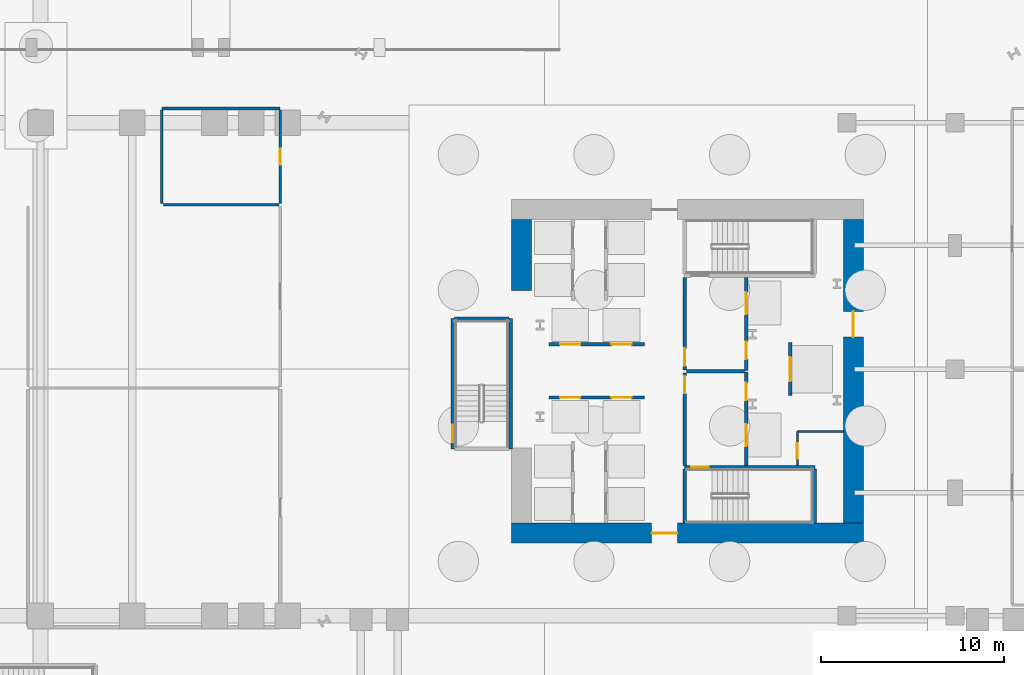
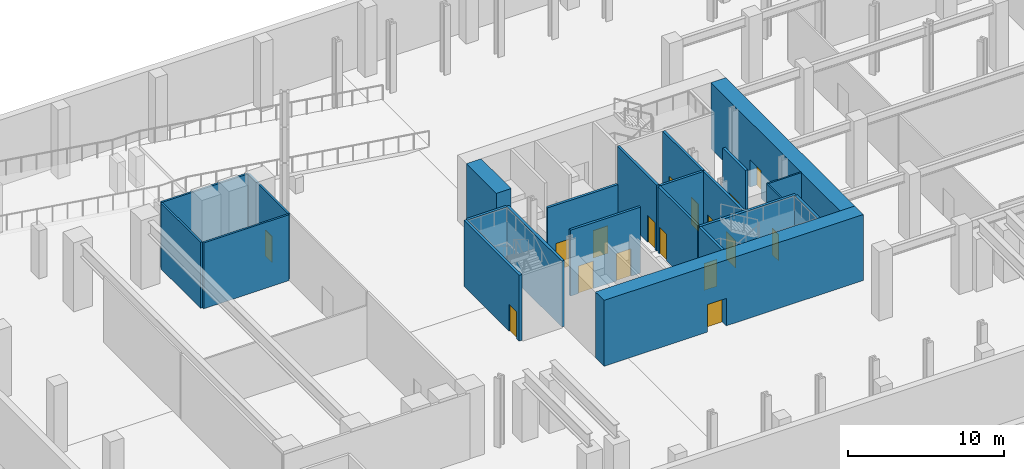
# One storey, part 6 of 16: 23 walls, 17 doors, 17 openings.
"""IFC4 building model written with IfcOpenShell, lengths in metres."""

import ifcopenshell
import ifcopenshell.guid

model = None  # the IFC model being written
_history = None  # IfcOwnerHistory: only IFC2X3 demands one
_inside = {}  # id of a spatial element -> (the spatial element, [elements in it])
_under = {}  # id of a project, library or spatial element -> (it, [spatial elements below it])
_declared = {}  # id of a project -> (the project, [libraries it declares])
_typed = {}  # id of a type object -> (the type object, [elements of that type])
_made_of = {}  # id of a material, layer set ... -> (it, [elements and type objects made of it])


def new_model(schema):
    """Start an empty IFC model of exactly this schema.

    Asked for "IFC4X3", IfcOpenShell would pick the latest addendum, in which some entities
    have other attributes; the version numbers below select the first issue.
    IFC2X3 requires an IfcOwnerHistory on every rooted entity: one is made here for all.
    """
    global model, _history
    if schema == "IFC4X3":
        model = ifcopenshell.file(schema_version=(4, 3, 0, 0))
    else:
        model = ifcopenshell.file(schema=schema)
    _inside.clear()
    _under.clear()
    _declared.clear()
    _typed.clear()
    _made_of.clear()
    _history = None
    if model.schema == "IFC2X3":
        org = make("IfcOrganization", Name="unknown")
        user = make(
            "IfcPersonAndOrganization",
            ThePerson=make("IfcPerson", FamilyName="unknown"),
            TheOrganization=org,
        )
        app = make(
            "IfcApplication",
            ApplicationDeveloper=org,
            Version="unknown",
            ApplicationFullName="unknown",
            ApplicationIdentifier="unknown",
        )
        _history = make(
            "IfcOwnerHistory",
            OwningUser=user,
            OwningApplication=app,
            ChangeAction="ADDED",
            CreationDate=0,
        )
    return model


def make(cls, **values):
    """One entity of the class cls with the attributes given. An attribute that is None is left unset."""
    return model.create_entity(
        cls, **{name: value for name, value in values.items() if value is not None}
    )


def rooted(cls, **values):
    """An entity with a GlobalId (a new one), such as an element, a storey or a relation."""
    return make(cls, GlobalId=ifcopenshell.guid.new(), OwnerHistory=_history, **values)


def si_unit(unit_type, name, prefix=None):
    """IfcSIUnit, for example si_unit("LENGTHUNIT", "METRE", prefix="MILLI")."""
    return make("IfcSIUnit", UnitType=unit_type, Prefix=prefix, Name=name)


def assignment(units):
    """IfcUnitAssignment: the units of a project."""
    return None if units is None else make("IfcUnitAssignment", Units=units)


def point(xyz):
    """IfcCartesianPoint."""
    return None if xyz is None else make("IfcCartesianPoint", Coordinates=xyz)


def direction(xyz):
    """IfcDirection."""
    return None if xyz is None else make("IfcDirection", DirectionRatios=xyz)


def frame(location, z_axis=None, x_axis=None):
    """IfcAxis2Placement3D, a coordinate frame: its origin and axes. An axis left out is left unset."""
    return make(
        "IfcAxis2Placement3D",
        Location=point(location),
        Axis=direction(z_axis),
        RefDirection=direction(x_axis),
    )


def frame_2d(location, x_axis=None):
    """IfcAxis2Placement2D, a coordinate frame in the plane: its origin and x axis."""
    return make(
        "IfcAxis2Placement2D", Location=point(location), RefDirection=direction(x_axis)
    )


def origin():
    """The frame at (0, 0, 0) with its axes left unset."""
    return frame((0.0, 0.0, 0.0))


def place(relative_to, where):
    """IfcLocalPlacement: puts the frame where relative to a parent placement (None: the world)."""
    return make(
        "IfcLocalPlacement", PlacementRelTo=relative_to, RelativePlacement=where
    )


def context(
    kind, dimensions, precision=None, world=None, true_north=None, identifier=None
):
    """IfcGeometricRepresentationContext, for example the 3D "Model" context."""
    return make(
        "IfcGeometricRepresentationContext",
        ContextIdentifier=identifier,
        ContextType=kind,
        CoordinateSpaceDimension=dimensions,
        Precision=precision,
        WorldCoordinateSystem=world,
        TrueNorth=true_north,
    )


def subcontext(parent, identifier, kind, view, scale=None):
    """IfcGeometricRepresentationSubContext, for example "Body" below "Model"."""
    return make(
        "IfcGeometricRepresentationSubContext",
        ContextIdentifier=identifier,
        ContextType=kind,
        ParentContext=parent,
        TargetScale=scale,
        TargetView=view,
    )


def project(units=None, contexts=None):
    """IfcProject with its units and contexts."""
    return rooted(
        "IfcProject",
        Name="project",
        RepresentationContexts=contexts,
        UnitsInContext=assignment(units),
    )


def spatial(cls, under=None, at=None, **own):
    """A site, building, storey or space (cls), placed at a placement, below another one or the project."""
    s = rooted(cls, ObjectPlacement=at, **own)
    if under is not None:
        _under.setdefault(under.id(), (under, []))[1].append(s)
    return s


def profile(cls, at=None, kind="AREA", **sizes):
    """A parametric profile (cls). Its sizes go by their IFC names, for example OverallWidth=200.0."""
    return make(cls, ProfileType=kind, Position=at, **sizes)


def rectangle(**sizes):
    """IfcRectangleProfileDef."""
    return profile("IfcRectangleProfileDef", **sizes)


def extrude(swept, where, along, depth):
    """IfcExtrudedAreaSolid: the profile swept, set in the frame where, extruded along a direction by depth."""
    return make(
        "IfcExtrudedAreaSolid",
        SweptArea=swept,
        Position=where,
        ExtrudedDirection=direction(along),
        Depth=depth,
    )


def shape(context_of_items, identifier, shape_type, items):
    """IfcShapeRepresentation: the items that make up one representation, for example the "Body"."""
    return make(
        "IfcShapeRepresentation",
        ContextOfItems=context_of_items,
        RepresentationIdentifier=identifier,
        RepresentationType=shape_type,
        Items=items,
    )


def material(Name=None, Category=None):
    """IfcMaterial."""
    return make("IfcMaterial", Name=Name, Category=Category)


def layer(
    of_material, thickness, ventilated=None, Name=None, Category=None, Priority=None
):
    """IfcMaterialLayer: one layer of a wall or slab, of a material (None: an air gap)."""
    return make(
        "IfcMaterialLayer",
        Material=of_material,
        LayerThickness=thickness,
        IsVentilated=ventilated,
        Name=Name,
        Category=Category,
        Priority=Priority,
    )


def layer_set(layers, Name=None):
    """IfcMaterialLayerSet."""
    return make("IfcMaterialLayerSet", MaterialLayers=layers, LayerSetName=Name)


def made_of(thing, what):
    """Note that an element or type object is made of a material, layer set ...; save() writes the relation."""
    if what is not None:
        _made_of.setdefault(what.id(), (what, []))[1].append(thing)
    return thing


def type_object(cls, material=None, **own):
    """A type object (cls), such as IfcWallType, which elements share."""
    return made_of(rooted(cls, **own), material)


def element(
    cls,
    number,
    at=None,
    inside=None,
    cuts=None,
    type_object=None,
    material=None,
    context=None,
    identifier="Body",
    shape_type=None,
    held_by="IfcProductDefinitionShape",
    body=None,
    shapes=None,
    **own,
):
    """One element of the class cls, such as IfcWall. Its Tag is "e" and its number.

    at: its placement. inside: the storey or other place that contains it. cuts: it is an
    opening in that element (IfcRelVoidsElement). A single representation is given by context,
    identifier, shape_type and body (its items); several are given by shapes. held_by: the class
    of the entity that holds the representations. save() writes the other relations.
    """
    e = rooted(cls, Tag="e%d" % number, ObjectPlacement=at, **own)
    if body is not None:
        shapes = [shape(context, identifier, shape_type, body)]
    if shapes is not None:
        e.Representation = make(held_by, Representations=shapes)
    if inside is not None:
        _inside.setdefault(inside.id(), (inside, []))[1].append(e)
    if cuts is not None:
        rooted(
            "IfcRelVoidsElement", RelatingBuildingElement=cuts, RelatedOpeningElement=e
        )
    if type_object is not None:
        _typed.setdefault(type_object.id(), (type_object, []))[1].append(e)
    return made_of(e, material)


def fill(opening, filler):
    """IfcRelFillsElement: the door or window that sits in an opening."""
    return rooted(
        "IfcRelFillsElement",
        RelatingOpeningElement=opening,
        RelatedBuildingElement=filler,
    )


def aggregate(whole, parts):
    """IfcRelAggregates: a whole, such as a stair, and the parts it consists of."""
    return rooted("IfcRelAggregates", RelatingObject=whole, RelatedObjects=parts)


def save(model, path):
    """Write the relations noted so far, then the file.

    IfcRelAggregates (storeys below a building ...), IfcRelContainedInSpatialStructure (elements
    in a storey), IfcRelDefinesByType, IfcRelAssociatesMaterial and IfcRelDeclares: one each for
    every whole, place, type object, material and project.
    """
    for whole, parts in _under.values():
        aggregate(whole, parts)
    for where, things in _inside.values():
        rooted(
            "IfcRelContainedInSpatialStructure",
            RelatedElements=things,
            RelatingStructure=where,
        )
    for kind, things in _typed.values():
        rooted("IfcRelDefinesByType", RelatedObjects=things, RelatingType=kind)
    for what, things in _made_of.values():
        rooted("IfcRelAssociatesMaterial", RelatedObjects=things, RelatingMaterial=what)
    for by, libraries in _declared.values():
        rooted("IfcRelDeclares", RelatingContext=by, RelatedDefinitions=libraries)
    model.write(path)


model = new_model("IFC4")

# Units and contexts
model_context = context("Model", 3, precision=1e-05, world=origin(), true_north=direction((0.0, 1.0)))
body_context = subcontext(model_context, "Body", "Model", "MODEL_VIEW")
ifc_project = project(units=[si_unit("LENGTHUNIT", "METRE"), si_unit("AREAUNIT", "SQUARE_METRE"), si_unit("VOLUMEUNIT", "CUBIC_METRE"), si_unit("PLANEANGLEUNIT", "RADIAN"), si_unit("MASSUNIT", "GRAM", prefix="KILO")], contexts=[model_context])

# Site, building, storey
site_placement = place(None, origin())
site = spatial("IfcSite", under=ifc_project, at=site_placement, CompositionType="ELEMENT")
building_placement = place(site_placement, origin())
building = spatial("IfcBuilding", under=site, at=building_placement, Name="Valkerne Bourse Tower", CompositionType="ELEMENT")
storey_placement = place(building_placement, frame((0.0, 0.0, -5.39990234375)))
storey = spatial("IfcBuildingStorey", under=building, at=storey_placement, Name="B1", CompositionType="ELEMENT", Elevation=-5.39990234375)

# Wall, opening, door
ifc_material_1 = material(Name="Concrete C70/85", Category="concrete")
ifc_layer_1 = layer(ifc_material_1, 1.10009765625)
ifc_layer_set_1 = layer_set([ifc_layer_1], Name="Concrete C70/85")
wall_type_1 = type_object("IfcWallType", Name="W-CORE-1100", PredefinedType="SHEAR", material=ifc_layer_set_1)
wall_1_placement = place(storey_placement, frame((37.199951171875, 18.050048828125, 0.0), z_axis=(0.0, 0.0, 1.0), x_axis=(1.0, 0.0, 0.0)))
wall_1 = element("IfcWall", 1, at=wall_1_placement, inside=storey, type_object=wall_type_1, Name="B1 Core Shear Wall SOUTH", PredefinedType="SHEAR", context=body_context, shape_type="SweptSolid", body=[
    extrude(rectangle(XDim=19.199951171875, YDim=1.10009765625, at=frame_2d((9.60009765625, 0.0))), origin(), (0.0, 0.0, 1.0), 5.159912109375),
])
opening_1_placement = place(wall_1_placement, frame((7.64990234375, 0.0, 0.0)))
opening_1 = element("IfcOpeningElement", 2, at=opening_1_placement, cuts=wall_1, Name="Opening D-PL-1400", PredefinedType="OPENING", context=body_context, shape_type="SweptSolid", body=[
    extrude(rectangle(XDim=1.39990234375, YDim=2.14990234375, at=frame_2d((0.699951171875, 1.074951171875))), frame((0.0, 0.56005859375, 0.0), z_axis=(0.0, -1.0, 0.0), x_axis=(1.0, 0.0, 0.0)), (0.0, 0.0, 1.0), 1.1201171875),
])
ifc_material_2 = material(Name="Galvanised Painted Steel", Category="steel")
door_type_1 = type_object("IfcDoorType", Name="DR-PLT-1400", OperationType="DOUBLE_DOOR_SINGLE_SWING", PredefinedType="DOOR", material=ifc_material_2)
door_1_placement = place(opening_1_placement, origin())
door_1 = element("IfcDoor", 3, at=door_1_placement, inside=storey, type_object=door_type_1, Name="B1 South Passenger Lift Hall Fire Door", OperationType="DOUBLE_DOOR_SINGLE_SWING", OverallHeight=2.14990234375, OverallWidth=1.39990234375, PredefinedType="DOOR", context=body_context, shape_type="SweptSolid", body=[
    extrude(rectangle(XDim=1.39990234375, YDim=2.14990234375, at=frame_2d((0.699951171875, 1.074951171875))), frame((0.0, 0.02490234375, 0.0), z_axis=(0.0, -1.0, 0.0), x_axis=(1.0, 0.0, 0.0)), (0.0, 0.0, 1.0), 0.050048828125),
])
fill(opening_1, door_1)

wall_2_placement = place(storey_placement, frame((55.85009765625, 18.60009765625, 0.0), z_axis=(0.0, 0.0, 1.0), x_axis=(0.0, 1.0, 0.0)))
wall_2 = element("IfcWall", 4, at=wall_2_placement, inside=storey, type_object=wall_type_1, Name="B1 Core Shear Wall EAST", PredefinedType="SHEAR", context=body_context, shape_type="SweptSolid", body=[
    extrude(rectangle(XDim=16.5498046875, YDim=1.10009765625, at=frame_2d((8.27490234375, 0.0))), origin(), (0.0, 0.0, 1.0), 5.159912109375),
])
opening_2_placement = place(wall_2_placement, frame((10.14990234375, 0.0, 0.0)))
opening_2 = element("IfcOpeningElement", 5, at=opening_2_placement, cuts=wall_2, Name="Opening D-PL-1400", PredefinedType="OPENING", context=body_context, shape_type="SweptSolid", body=[
    extrude(rectangle(XDim=1.39990234375, YDim=2.14990234375, at=frame_2d((0.699951171875, 1.074951171875))), frame((0.0, 0.56005859375, 0.0), z_axis=(0.0, -1.0, 0.0), x_axis=(1.0, 0.0, 0.0)), (0.0, 0.0, 1.0), 1.1201171875),
])
door_2_placement = place(opening_2_placement, origin())
door_2 = element("IfcDoor", 6, at=door_2_placement, inside=storey, type_object=door_type_1, Name="B1 East Core Service Lobby Fire Door", OperationType="DOUBLE_DOOR_SINGLE_SWING", OverallHeight=2.14990234375, OverallWidth=1.39990234375, PredefinedType="DOOR", context=body_context, shape_type="SweptSolid", body=[
    extrude(rectangle(XDim=1.39990234375, YDim=2.14990234375, at=frame_2d((0.699951171875, 1.074951171875))), frame((0.0, 0.02490234375, 0.0), z_axis=(0.0, -1.0, 0.0), x_axis=(1.0, 0.0, 0.0)), (0.0, 0.0, 1.0), 0.050048828125),
])
fill(opening_2, door_2)

# Wall
wall_3_placement = place(storey_placement, frame((37.75, 31.300048828125, 0.0), z_axis=(0.0, 0.0, 1.0), x_axis=(0.0, 1.0, 0.0)))
element("IfcWall", 7, at=wall_3_placement, inside=storey, type_object=wall_type_1, Name="B1 Core Shear Wall WEST-N", PredefinedType="SHEAR", context=body_context, shape_type="SweptSolid", body=[
    extrude(rectangle(XDim=3.849853515625, YDim=1.10009765625, at=frame_2d((1.9248046875, 0.0))), origin(), (0.0, 0.0, 1.0), 5.159912109375),
])

# Wall, opening, door
ifc_material_3 = material(Name="Gypsum Board Steel-Stud Partition", Category="steel")
ifc_layer_2 = layer(ifc_material_3, 0.117919921875)
ifc_layer_set_2 = layer_set([ifc_layer_2], Name="Gypsum Board Steel-Stud Partition")
wall_type_2 = type_object("IfcWallType", Name="W-CORR-140", PredefinedType="PARTITIONING", material=ifc_layer_set_2)
wall_4_placement = place(storey_placement, frame((52.800048828125, 21.75, 0.0), z_axis=(0.0, 0.0, 1.0), x_axis=(0.0, 1.0, 0.0)))
wall_4 = element("IfcWall", 8, at=wall_4_placement, inside=storey, type_object=wall_type_2, Name="B1 Core SE South-Bay West Wall", PredefinedType="PARTITIONING", context=body_context, shape_type="SweptSolid", body=[
    extrude(rectangle(XDim=1.85009765625, YDim=0.117919921875, at=frame_2d((0.925048828125, 0.0))), origin(), (0.0, 0.0, 1.0), 5.159912109375),
])
opening_3_placement = place(wall_4_placement, frame((0.35009765625, 0.0, 0.0)))
opening_3 = element("IfcOpeningElement", 9, at=opening_3_placement, cuts=wall_4, Name="Opening D-WC-900", PredefinedType="OPENING", context=body_context, shape_type="SweptSolid", body=[
    extrude(rectangle(XDim=0.860107421875, YDim=2.050048828125, at=frame_2d((0.43017578125, 1.02490234375))), frame((0.0, 0.06884765625, 0.0), z_axis=(0.0, -1.0, 0.0), x_axis=(1.0, 0.0, 0.0)), (0.0, 0.0, 1.0), 0.137939453125),
])
ifc_material_4 = material(Name="Architectural White Oak Timber", Category="wood")
door_type_2 = type_object("IfcDoorType", Name="DR-WC-900", OperationType="NOTDEFINED", PredefinedType="DOOR", material=ifc_material_4)
door_3_placement = place(opening_3_placement, origin())
door_3 = element("IfcDoor", 10, at=door_3_placement, inside=storey, type_object=door_type_2, Name="B1 Janitor Store Door", OperationType="SINGLE_SWING_RIGHT", OverallHeight=2.050048828125, OverallWidth=0.860107421875, PredefinedType="DOOR", context=body_context, shape_type="SweptSolid", body=[
    extrude(rectangle(XDim=0.860107421875, YDim=2.050048828125, at=frame_2d((0.43017578125, 1.02490234375))), frame((0.0, 0.02490234375, 0.0), z_axis=(0.0, -1.0, 0.0), x_axis=(1.0, 0.0, 0.0)), (0.0, 0.0, 1.0), 0.050048828125),
])
fill(opening_3, door_3)

# Walls
wall_5_placement = place(storey_placement, frame((52.800048828125, 23.60009765625, 0.0), z_axis=(0.0, 0.0, 1.0), x_axis=(1.0, 0.0, 0.0)))
element("IfcWall", 11, at=wall_5_placement, inside=storey, type_object=wall_type_2, Name="B1 Core SE South-Bay North Wall", PredefinedType="PARTITIONING", context=body_context, shape_type="SweptSolid", body=[
    extrude(rectangle(XDim=2.52001953125, YDim=0.117919921875, at=frame_2d((1.260009765625, 0.0))), origin(), (0.0, 0.0, 1.0), 5.159912109375),
])
ifc_material_5 = material(Name="Gypsum Fire-Rated Shaftwall", Category="gypsum")
ifc_layer_3 = layer(ifc_material_5, 0.179931640625)
ifc_layer_set_3 = layer_set([ifc_layer_3], Name="Gypsum Fire-Rated Shaftwall")
wall_type_3 = type_object("IfcWallType", Name="W-FSAE-180", PredefinedType="PARTITIONING", material=ifc_layer_set_3)
wall_6_placement = place(storey_placement, frame((46.739990234375, 26.8798828125, 0.0), z_axis=(0.0, 0.0, 1.0), x_axis=(1.0, 0.0, 0.0)))
element("IfcWall", 12, at=wall_6_placement, inside=storey, type_object=wall_type_3, Name="B1 FSAE-1/2 Lobby Dividing Fire Wall", PredefinedType="PARTITIONING", context=body_context, shape_type="SweptSolid", body=[
    extrude(rectangle(XDim=3.169921875, YDim=0.179931640625, at=frame_2d((1.5849609375, 0.0))), origin(), (0.0, 0.0, 1.0), 5.159912109375),
])

# Wall, opening, door
wall_7_placement = place(storey_placement, frame((46.64990234375, 21.75, 0.0), z_axis=(0.0, 0.0, 1.0), x_axis=(0.0, 1.0, 0.0)))
wall_7 = element("IfcWall", 13, at=wall_7_placement, inside=storey, type_object=wall_type_3, Name="B1 FSAE-1 Lobby West Fire Wall", PredefinedType="PARTITIONING", context=body_context, shape_type="SweptSolid", body=[
    extrude(rectangle(XDim=5.050048828125, YDim=0.179931640625, at=frame_2d((2.52490234375, 0.0))), origin(), (0.0, 0.0, 1.0), 5.159912109375),
])
opening_4_placement = place(wall_7_placement, frame((3.919921875, 0.0, 0.0)))
opening_4 = element("IfcOpeningElement", 14, at=opening_4_placement, cuts=wall_7, Name="Opening D-FS-950", PredefinedType="OPENING", context=body_context, shape_type="SweptSolid", body=[
    extrude(rectangle(XDim=0.949951171875, YDim=2.10009765625, at=frame_2d((0.47509765625, 1.050048828125))), frame((0.0, 0.099853515625, 0.0), z_axis=(0.0, -1.0, 0.0), x_axis=(1.0, 0.0, 0.0)), (0.0, 0.0, 1.0), 0.199951171875),
])
door_type_3 = type_object("IfcDoorType", Name="DR-FSAE-950", OperationType="NOTDEFINED", PredefinedType="DOOR", material=ifc_material_2)
door_4_placement = place(opening_4_placement, origin())
door_4 = element("IfcDoor", 15, at=door_4_placement, inside=storey, type_object=door_type_3, Name="B1 FSAE-1 Hall Link Fire Door", OperationType="SINGLE_SWING_LEFT", OverallHeight=2.10009765625, OverallWidth=0.949951171875, PredefinedType="DOOR", context=body_context, shape_type="SweptSolid", body=[
    extrude(rectangle(XDim=0.949951171875, YDim=2.10009765625, at=frame_2d((0.47509765625, 1.050048828125))), frame((0.0, 0.02490234375, 0.0), z_axis=(0.0, -1.0, 0.0), x_axis=(1.0, 0.0, 0.0)), (0.0, 0.0, 1.0), 0.050048828125),
])
fill(opening_4, door_4)

wall_8_placement = place(storey_placement, frame((46.64990234375, 26.9599609375, 0.0), z_axis=(0.0, 0.0, 1.0), x_axis=(0.0, 1.0, 0.0)))
wall_8 = element("IfcWall", 16, at=wall_8_placement, inside=storey, type_object=wall_type_3, Name="B1 FSAE-2 Lobby West Fire Wall", PredefinedType="PARTITIONING", context=body_context, shape_type="SweptSolid", body=[
    extrude(rectangle(XDim=5.0400390625, YDim=0.179931640625, at=frame_2d((2.52001953125, 0.0))), origin(), (0.0, 0.0, 1.0), 5.159912109375),
])
opening_5_placement = place(wall_8_placement, frame((0.219970703125, 0.0, 0.0)))
opening_5 = element("IfcOpeningElement", 17, at=opening_5_placement, cuts=wall_8, Name="Opening D-FS-950", PredefinedType="OPENING", context=body_context, shape_type="SweptSolid", body=[
    extrude(rectangle(XDim=0.949951171875, YDim=2.10009765625, at=frame_2d((0.47509765625, 1.050048828125))), frame((0.0, 0.099853515625, 0.0), z_axis=(0.0, -1.0, 0.0), x_axis=(1.0, 0.0, 0.0)), (0.0, 0.0, 1.0), 0.199951171875),
])
door_5_placement = place(opening_5_placement, origin())
door_5 = element("IfcDoor", 18, at=door_5_placement, inside=storey, type_object=door_type_3, Name="B1 FSAE-2 Hall Link Fire Door", OperationType="SINGLE_SWING_RIGHT", OverallHeight=2.10009765625, OverallWidth=0.949951171875, PredefinedType="DOOR", context=body_context, shape_type="SweptSolid", body=[
    extrude(rectangle(XDim=0.949951171875, YDim=2.10009765625, at=frame_2d((0.47509765625, 1.050048828125))), frame((0.0, 0.02490234375, 0.0), z_axis=(0.0, -1.0, 0.0), x_axis=(1.0, 0.0, 0.0)), (0.0, 0.0, 1.0), 0.050048828125),
])
fill(opening_5, door_5)

# Wall, openings, doors
wall_9_placement = place(storey_placement, frame((50.0, 21.75, 0.0), z_axis=(0.0, 0.0, 1.0), x_axis=(0.0, 1.0, 0.0)))
wall_9 = element("IfcWall", 19, at=wall_9_placement, inside=storey, type_object=wall_type_3, Name="B1 FSAE-1 Lobby & Shaft Front Wall", PredefinedType="PARTITIONING", context=body_context, shape_type="SweptSolid", body=[
    extrude(rectangle(XDim=5.090087890625, YDim=0.179931640625, at=frame_2d((2.544921875, 0.0))), origin(), (0.0, 0.0, 1.0), 5.159912109375),
])
opening_6_placement = place(wall_9_placement, frame((1.050048828125, 0.0, 0.0)))
opening_6 = element("IfcOpeningElement", 20, at=opening_6_placement, cuts=wall_9, Name="Opening LD-1200", PredefinedType="OPENING", context=body_context, shape_type="SweptSolid", body=[
    extrude(rectangle(XDim=1.199951171875, YDim=2.14990234375, at=frame_2d((0.60009765625, 1.074951171875))), frame((0.0, 0.099853515625, 0.0), z_axis=(0.0, -1.0, 0.0), x_axis=(1.0, 0.0, 0.0)), (0.0, 0.0, 1.0), 0.199951171875),
])
opening_7_placement = place(wall_9_placement, frame((3.550048828125, 0.0, 0.0)))
opening_7 = element("IfcOpeningElement", 21, at=opening_7_placement, cuts=wall_9, Name="Opening D-FS-950", PredefinedType="OPENING", context=body_context, shape_type="SweptSolid", body=[
    extrude(rectangle(XDim=0.949951171875, YDim=2.10009765625, at=frame_2d((0.47509765625, 1.050048828125))), frame((0.0, 0.099853515625, 0.0), z_axis=(0.0, -1.0, 0.0), x_axis=(1.0, 0.0, 0.0)), (0.0, 0.0, 1.0), 0.199951171875),
])
door_6_placement = place(opening_7_placement, origin())
door_6 = element("IfcDoor", 22, at=door_6_placement, inside=storey, type_object=door_type_3, Name="B1 FSAE-1 Lobby Corridor Fire Door", OperationType="SINGLE_SWING_RIGHT", OverallHeight=2.10009765625, OverallWidth=0.949951171875, PredefinedType="DOOR", context=body_context, shape_type="SweptSolid", body=[
    extrude(rectangle(XDim=0.949951171875, YDim=2.10009765625, at=frame_2d((0.47509765625, 1.050048828125))), frame((0.0, 0.02490234375, 0.0), z_axis=(0.0, -1.0, 0.0), x_axis=(1.0, 0.0, 0.0)), (0.0, 0.0, 1.0), 0.050048828125),
])
fill(opening_7, door_6)
ifc_material_6 = material(Name="Stainless Steel AISI 316", Category="steel")
door_type_4 = type_object("IfcDoorType", Name="DR-LIFT-1200", OperationType="DOUBLE_DOOR_SLIDING", PredefinedType="DOOR", material=ifc_material_6)
door_7_placement = place(opening_6_placement, origin())
door_7 = element("IfcDoor", 23, at=door_7_placement, inside=storey, type_object=door_type_4, Name="B1 FSAE-1 Firefighting Lift Landing Door", OperationType="DOUBLE_DOOR_SLIDING", OverallHeight=2.14990234375, OverallWidth=1.199951171875, PredefinedType="DOOR", context=body_context, shape_type="SweptSolid", body=[
    extrude(rectangle(XDim=1.199951171875, YDim=2.14990234375, at=frame_2d((0.60009765625, 1.074951171875))), frame((0.0, 0.02490234375, 0.0), z_axis=(0.0, -1.0, 0.0), x_axis=(1.0, 0.0, 0.0)), (0.0, 0.0, 1.0), 0.050048828125),
])
fill(opening_6, door_7)

wall_10_placement = place(storey_placement, frame((50.0, 26.919921875, 0.0), z_axis=(0.0, 0.0, 1.0), x_axis=(0.0, 1.0, 0.0)))
wall_10 = element("IfcWall", 24, at=wall_10_placement, inside=storey, type_object=wall_type_3, Name="B1 FSAE-2 Lobby & Shaft Front Wall", PredefinedType="PARTITIONING", context=body_context, shape_type="SweptSolid", body=[
    extrude(rectangle(XDim=5.080078125, YDim=0.179931640625, at=frame_2d((2.5400390625, 0.0))), origin(), (0.0, 0.0, 1.0), 5.159912109375),
])
opening_8_placement = place(wall_10_placement, frame((3.080078125, 0.0, 0.0)))
opening_8 = element("IfcOpeningElement", 25, at=opening_8_placement, cuts=wall_10, Name="Opening LD-1200", PredefinedType="OPENING", context=body_context, shape_type="SweptSolid", body=[
    extrude(rectangle(XDim=1.199951171875, YDim=2.14990234375, at=frame_2d((0.60009765625, 1.074951171875))), frame((0.0, 0.099853515625, 0.0), z_axis=(0.0, -1.0, 0.0), x_axis=(1.0, 0.0, 0.0)), (0.0, 0.0, 1.0), 0.199951171875),
])
opening_9_placement = place(wall_10_placement, frame((0.6298828125, 0.0, 0.0)))
opening_9 = element("IfcOpeningElement", 26, at=opening_9_placement, cuts=wall_10, Name="Opening D-FS-950", PredefinedType="OPENING", context=body_context, shape_type="SweptSolid", body=[
    extrude(rectangle(XDim=0.949951171875, YDim=2.10009765625, at=frame_2d((0.47509765625, 1.050048828125))), frame((0.0, 0.099853515625, 0.0), z_axis=(0.0, -1.0, 0.0), x_axis=(1.0, 0.0, 0.0)), (0.0, 0.0, 1.0), 0.199951171875),
])
door_8_placement = place(opening_9_placement, origin())
door_8 = element("IfcDoor", 27, at=door_8_placement, inside=storey, type_object=door_type_3, Name="B1 FSAE-2 Lobby Corridor Fire Door", OperationType="SINGLE_SWING_RIGHT", OverallHeight=2.10009765625, OverallWidth=0.949951171875, PredefinedType="DOOR", context=body_context, shape_type="SweptSolid", body=[
    extrude(rectangle(XDim=0.949951171875, YDim=2.10009765625, at=frame_2d((0.47509765625, 1.050048828125))), frame((0.0, 0.02490234375, 0.0), z_axis=(0.0, -1.0, 0.0), x_axis=(1.0, 0.0, 0.0)), (0.0, 0.0, 1.0), 0.050048828125),
])
fill(opening_9, door_8)
door_9_placement = place(opening_8_placement, origin())
door_9 = element("IfcDoor", 28, at=door_9_placement, inside=storey, type_object=door_type_4, Name="B1 FSAE-2 Firefighting Lift Landing Door", OperationType="DOUBLE_DOOR_SLIDING", OverallHeight=2.14990234375, OverallWidth=1.199951171875, PredefinedType="DOOR", context=body_context, shape_type="SweptSolid", body=[
    extrude(rectangle(XDim=1.199951171875, YDim=2.14990234375, at=frame_2d((0.60009765625, 1.074951171875))), frame((0.0, 0.02490234375, 0.0), z_axis=(0.0, -1.0, 0.0), x_axis=(1.0, 0.0, 0.0)), (0.0, 0.0, 1.0), 0.050048828125),
])
fill(opening_8, door_9)

# Wall, opening, door
ifc_material_7 = material(Name="CMU Blockwork Masonry 200mm", Category="masonry")
ifc_layer_4 = layer(ifc_material_7, 0.179931640625)
ifc_layer_set_4 = layer_set([ifc_layer_4], Name="CMU Blockwork Masonry 200mm")
wall_type_4 = type_object("IfcWallType", Name="W-LFT-180", PredefinedType="SOLIDWALL", material=ifc_layer_set_4)
wall_11_placement = place(storey_placement, frame((52.39990234375, 25.550048828125, 0.0), z_axis=(0.0, 0.0, 1.0), x_axis=(0.0, 1.0, 0.0)))
wall_11 = element("IfcWall", 29, at=wall_11_placement, inside=storey, type_object=wall_type_4, Name="B1 Service Lift SV-1 Front Wall", PredefinedType="SOLIDWALL", context=body_context, shape_type="SweptSolid", body=[
    extrude(rectangle(XDim=2.89990234375, YDim=0.179931640625, at=frame_2d((1.449951171875, 0.0))), origin(), (0.0, 0.0, 1.0), 5.159912109375),
])
opening_10_placement = place(wall_11_placement, frame((0.800048828125, 0.0, 0.0)))
opening_10 = element("IfcOpeningElement", 30, at=opening_10_placement, cuts=wall_11, Name="Opening LD-1300", PredefinedType="OPENING", context=body_context, shape_type="SweptSolid", body=[
    extrude(rectangle(XDim=1.300048828125, YDim=2.14990234375, at=frame_2d((0.64990234375, 1.074951171875))), frame((0.0, 0.099853515625, 0.0), z_axis=(0.0, -1.0, 0.0), x_axis=(1.0, 0.0, 0.0)), (0.0, 0.0, 1.0), 0.199951171875),
])
door_type_5 = type_object("IfcDoorType", Name="DR-LIFT-1300", OperationType="DOUBLE_DOOR_SLIDING", PredefinedType="DOOR", material=ifc_material_6)
door_10_placement = place(opening_10_placement, origin())
door_10 = element("IfcDoor", 31, at=door_10_placement, inside=storey, type_object=door_type_5, Name="B1 Service Lift SV-1 Landing Door", OperationType="DOUBLE_DOOR_SLIDING", OverallHeight=2.14990234375, OverallWidth=1.300048828125, PredefinedType="DOOR", context=body_context, shape_type="SweptSolid", body=[
    extrude(rectangle(XDim=1.300048828125, YDim=2.14990234375, at=frame_2d((0.64990234375, 1.074951171875))), frame((0.0, 0.02490234375, 0.0), z_axis=(0.0, -1.0, 0.0), x_axis=(1.0, 0.0, 0.0)), (0.0, 0.0, 1.0), 0.050048828125),
])
fill(opening_10, door_10)

# Wall, openings, doors
wall_12_placement = place(storey_placement, frame((39.25, 25.449951171875, 0.0), z_axis=(0.0, 0.0, 1.0), x_axis=(1.0, 0.0, 0.0)))
wall_12 = element("IfcWall", 32, at=wall_12_placement, inside=storey, type_object=wall_type_4, Name="B1 High-Zone South Cars Front Wall", PredefinedType="SOLIDWALL", context=body_context, shape_type="SweptSolid", body=[
    extrude(rectangle(XDim=5.199951171875, YDim=0.179931640625, at=frame_2d((2.60009765625, 0.0))), origin(), (0.0, 0.0, 1.0), 5.159912109375),
])
opening_11_placement = place(wall_12_placement, frame((0.60009765625, 0.0, 0.0)))
opening_11 = element("IfcOpeningElement", 33, at=opening_11_placement, cuts=wall_12, Name="Opening LD-1100", PredefinedType="OPENING", context=body_context, shape_type="SweptSolid", body=[
    extrude(rectangle(XDim=1.10009765625, YDim=2.14990234375, at=frame_2d((0.550048828125, 1.074951171875))), frame((0.0, 0.099853515625, 0.0), z_axis=(0.0, -1.0, 0.0), x_axis=(1.0, 0.0, 0.0)), (0.0, 0.0, 1.0), 0.199951171875),
])
opening_12_placement = place(wall_12_placement, frame((3.39990234375, 0.0, 0.0)))
opening_12 = element("IfcOpeningElement", 34, at=opening_12_placement, cuts=wall_12, Name="Opening LD-1100", PredefinedType="OPENING", context=body_context, shape_type="SweptSolid", body=[
    extrude(rectangle(XDim=1.10009765625, YDim=2.14990234375, at=frame_2d((0.550048828125, 1.074951171875))), frame((0.0, 0.099853515625, 0.0), z_axis=(0.0, -1.0, 0.0), x_axis=(1.0, 0.0, 0.0)), (0.0, 0.0, 1.0), 0.199951171875),
])
door_type_6 = type_object("IfcDoorType", Name="DR-LIFT-1100", OperationType="DOUBLE_DOOR_SLIDING", PredefinedType="DOOR", material=ifc_material_6)
door_11_placement = place(opening_11_placement, origin())
door_11 = element("IfcDoor", 35, at=door_11_placement, inside=storey, type_object=door_type_6, Name="B1 Passenger Lift PL-H1 Sliding Landing Door", OperationType="DOUBLE_DOOR_SLIDING", OverallHeight=2.14990234375, OverallWidth=1.10009765625, PredefinedType="DOOR", context=body_context, shape_type="SweptSolid", body=[
    extrude(rectangle(XDim=1.10009765625, YDim=2.14990234375, at=frame_2d((0.550048828125, 1.074951171875))), frame((0.0, 0.02490234375, 0.0), z_axis=(0.0, -1.0, 0.0), x_axis=(1.0, 0.0, 0.0)), (0.0, 0.0, 1.0), 0.050048828125),
])
fill(opening_11, door_11)
door_12_placement = place(opening_12_placement, origin())
door_12 = element("IfcDoor", 36, at=door_12_placement, inside=storey, type_object=door_type_6, Name="B1 Passenger Lift PL-H2 Sliding Landing Door", OperationType="DOUBLE_DOOR_SLIDING", OverallHeight=2.14990234375, OverallWidth=1.10009765625, PredefinedType="DOOR", context=body_context, shape_type="SweptSolid", body=[
    extrude(rectangle(XDim=1.10009765625, YDim=2.14990234375, at=frame_2d((0.550048828125, 1.074951171875))), frame((0.0, 0.02490234375, 0.0), z_axis=(0.0, -1.0, 0.0), x_axis=(1.0, 0.0, 0.0)), (0.0, 0.0, 1.0), 0.050048828125),
])
fill(opening_12, door_12)

wall_13_placement = place(storey_placement, frame((39.25, 28.35009765625, 0.0), z_axis=(0.0, 0.0, 1.0), x_axis=(1.0, 0.0, 0.0)))
wall_13 = element("IfcWall", 37, at=wall_13_placement, inside=storey, type_object=wall_type_4, Name="B1 High-Zone North Cars Front Wall", PredefinedType="SOLIDWALL", context=body_context, shape_type="SweptSolid", body=[
    extrude(rectangle(XDim=5.199951171875, YDim=0.179931640625, at=frame_2d((2.60009765625, 0.0))), origin(), (0.0, 0.0, 1.0), 5.159912109375),
])
opening_13_placement = place(wall_13_placement, frame((0.60009765625, 0.0, 0.0)))
opening_13 = element("IfcOpeningElement", 38, at=opening_13_placement, cuts=wall_13, Name="Opening LD-1100", PredefinedType="OPENING", context=body_context, shape_type="SweptSolid", body=[
    extrude(rectangle(XDim=1.10009765625, YDim=2.14990234375, at=frame_2d((0.550048828125, 1.074951171875))), frame((0.0, 0.099853515625, 0.0), z_axis=(0.0, -1.0, 0.0), x_axis=(1.0, 0.0, 0.0)), (0.0, 0.0, 1.0), 0.199951171875),
])
opening_14_placement = place(wall_13_placement, frame((3.39990234375, 0.0, 0.0)))
opening_14 = element("IfcOpeningElement", 39, at=opening_14_placement, cuts=wall_13, Name="Opening LD-1100", PredefinedType="OPENING", context=body_context, shape_type="SweptSolid", body=[
    extrude(rectangle(XDim=1.10009765625, YDim=2.14990234375, at=frame_2d((0.550048828125, 1.074951171875))), frame((0.0, 0.099853515625, 0.0), z_axis=(0.0, -1.0, 0.0), x_axis=(1.0, 0.0, 0.0)), (0.0, 0.0, 1.0), 0.199951171875),
])
door_13_placement = place(opening_13_placement, origin())
door_13 = element("IfcDoor", 40, at=door_13_placement, inside=storey, type_object=door_type_6, Name="B1 Passenger Lift PL-H3 Sliding Landing Door", OperationType="DOUBLE_DOOR_SLIDING", OverallHeight=2.14990234375, OverallWidth=1.10009765625, PredefinedType="DOOR", context=body_context, shape_type="SweptSolid", body=[
    extrude(rectangle(XDim=1.10009765625, YDim=2.14990234375, at=frame_2d((0.550048828125, 1.074951171875))), frame((0.0, 0.02490234375, 0.0), z_axis=(0.0, -1.0, 0.0), x_axis=(1.0, 0.0, 0.0)), (0.0, 0.0, 1.0), 0.050048828125),
])
fill(opening_13, door_13)
door_14_placement = place(opening_14_placement, origin())
door_14 = element("IfcDoor", 41, at=door_14_placement, inside=storey, type_object=door_type_6, Name="B1 Passenger Lift PL-H4 Sliding Landing Door", OperationType="DOUBLE_DOOR_SLIDING", OverallHeight=2.14990234375, OverallWidth=1.10009765625, PredefinedType="DOOR", context=body_context, shape_type="SweptSolid", body=[
    extrude(rectangle(XDim=1.10009765625, YDim=2.14990234375, at=frame_2d((0.550048828125, 1.074951171875))), frame((0.0, 0.02490234375, 0.0), z_axis=(0.0, -1.0, 0.0), x_axis=(1.0, 0.0, 0.0)), (0.0, 0.0, 1.0), 0.050048828125),
])
fill(opening_14, door_14)

# Wall, opening, door
ifc_material_8 = material(Name="Concrete C40/50", Category="concrete")
ifc_layer_5 = layer(ifc_material_8, 0.199951171875)
ifc_layer_set_5 = layer_set([ifc_layer_5], Name="Concrete C40/50")
wall_type_5 = type_object("IfcWallType", Name="W-SHF-200", PredefinedType="SHEAR", material=ifc_layer_set_5)
wall_14_placement = place(storey_placement, frame((46.64990234375, 21.64990234375, 0.0), z_axis=(0.0, 0.0, 1.0), x_axis=(1.0, 0.0, 0.0)))
wall_14 = element("IfcWall", 42, at=wall_14_placement, inside=storey, type_object=wall_type_5, Name="B1 Exit Stair ST-1 Structural Shaft Wall North", PredefinedType="SHEAR", context=body_context, shape_type="SweptSolid", body=[
    extrude(rectangle(XDim=7.10009765625, YDim=0.199951171875, at=frame_2d((3.550048828125, 0.0))), origin(), (0.0, 0.0, 1.0), 5.159912109375),
])
opening_15_placement = place(wall_14_placement, frame((0.35009765625, 0.0, 0.0)))
opening_15 = element("IfcOpeningElement", 43, at=opening_15_placement, cuts=wall_14, Name="Opening D-ST-950", PredefinedType="OPENING", context=body_context, shape_type="SweptSolid", body=[
    extrude(rectangle(XDim=0.949951171875, YDim=2.10009765625, at=frame_2d((0.47509765625, 1.050048828125))), frame((0.0, 0.10986328125, 0.0), z_axis=(0.0, -1.0, 0.0), x_axis=(1.0, 0.0, 0.0)), (0.0, 0.0, 1.0), 0.219970703125),
])
door_type_7 = type_object("IfcDoorType", Name="DR-STAIR-950", OperationType="NOTDEFINED", PredefinedType="DOOR", material=ifc_material_2)
door_15_placement = place(opening_15_placement, origin())
door_15 = element("IfcDoor", 44, at=door_15_placement, inside=storey, type_object=door_type_7, Name="B1 Exit Stair ST-1 Door", OperationType="SINGLE_SWING_LEFT", OverallHeight=2.10009765625, OverallWidth=0.949951171875, PredefinedType="DOOR", context=body_context, shape_type="SweptSolid", body=[
    extrude(rectangle(XDim=0.949951171875, YDim=2.10009765625, at=frame_2d((0.47509765625, 1.050048828125))), frame((0.0, 0.02490234375, 0.0), z_axis=(0.0, -1.0, 0.0), x_axis=(1.0, 0.0, 0.0)), (0.0, 0.0, 1.0), 0.050048828125),
])
fill(opening_15, door_15)

# Walls
for number, where, z_axis, x_axis, name in (
    (45, (46.64990234375, 18.60009765625, 0.0), (0.0, 0.0, 1.0), (0.0, 1.0, 0.0), "B1 Exit Stair ST-1 Structural Shaft Wall West"),
    (46, (53.75, 18.60009765625, 0.0), (0.0, 0.0, 1.0), (0.0, 1.0, 0.0), "B1 Exit Stair ST-1 Structural Shaft Wall East"),
):
    element("IfcWall", number, at=place(storey_placement, frame(where, z_axis=z_axis, x_axis=x_axis)), inside=storey, type_object=wall_type_5, Name=name, PredefinedType="SHEAR", context=body_context, shape_type="SweptSolid", body=[
        extrude(rectangle(XDim=2.949951171875, YDim=0.199951171875, at=frame_2d((1.47509765625, 0.0))), origin(), (0.0, 0.0, 1.0), 5.159912109375),
    ])

# Wall, opening, door
wall_15_placement = place(storey_placement, frame((34.0, 22.64990234375, 0.0), z_axis=(0.0, 0.0, 1.0), x_axis=(0.0, 1.0, 0.0)))
wall_15 = element("IfcWall", 47, at=wall_15_placement, inside=storey, type_object=wall_type_5, Name="B1 Exit Stair ST-3 Structural Shaft Wall West", PredefinedType="SHEAR", context=body_context, shape_type="SweptSolid", body=[
    extrude(rectangle(XDim=7.10009765625, YDim=0.199951171875, at=frame_2d((3.550048828125, 0.0))), origin(), (0.0, 0.0, 1.0), 5.159912109375),
])
opening_16_placement = place(wall_15_placement, frame((0.35009765625, 0.0, 0.0)))
opening_16 = element("IfcOpeningElement", 48, at=opening_16_placement, cuts=wall_15, Name="Opening D-ST-950", PredefinedType="OPENING", context=body_context, shape_type="SweptSolid", body=[
    extrude(rectangle(XDim=0.949951171875, YDim=2.10009765625, at=frame_2d((0.47509765625, 1.050048828125))), frame((0.0, 0.10986328125, 0.0), z_axis=(0.0, -1.0, 0.0), x_axis=(1.0, 0.0, 0.0)), (0.0, 0.0, 1.0), 0.219970703125),
])
door_16_placement = place(opening_16_placement, origin())
door_16 = element("IfcDoor", 49, at=door_16_placement, inside=storey, type_object=door_type_7, Name="B1 Exit Stair ST-3 Door", OperationType="SINGLE_SWING_LEFT", OverallHeight=2.10009765625, OverallWidth=0.949951171875, PredefinedType="DOOR", context=body_context, shape_type="SweptSolid", body=[
    extrude(rectangle(XDim=0.949951171875, YDim=2.10009765625, at=frame_2d((0.47509765625, 1.050048828125))), frame((0.0, 0.02490234375, 0.0), z_axis=(0.0, -1.0, 0.0), x_axis=(1.0, 0.0, 0.0)), (0.0, 0.0, 1.0), 0.050048828125),
])
fill(opening_16, door_16)

# Walls
wall_16_placement = place(storey_placement, frame((34.10009765625, 29.75, 0.0), z_axis=(0.0, 0.0, 1.0), x_axis=(1.0, 0.0, 0.0)))
element("IfcWall", 50, at=wall_16_placement, inside=storey, type_object=wall_type_5, Name="B1 Exit Stair ST-3 Structural Shaft Wall North", PredefinedType="SHEAR", context=body_context, shape_type="SweptSolid", body=[
    extrude(rectangle(XDim=2.949951171875, YDim=0.199951171875, at=frame_2d((1.47509765625, 0.0))), origin(), (0.0, 0.0, 1.0), 5.159912109375),
])
wall_17_placement = place(storey_placement, frame((37.14990234375, 22.64990234375, 0.0), z_axis=(0.0, 0.0, 1.0), x_axis=(0.0, 1.0, 0.0)))
element("IfcWall", 51, at=wall_17_placement, inside=storey, type_object=wall_type_5, Name="B1 Exit Stair ST-3 Structural Shaft Wall East", PredefinedType="SHEAR", context=body_context, shape_type="SweptSolid", body=[
    extrude(rectangle(XDim=7.10009765625, YDim=0.199951171875, at=frame_2d((3.550048828125, 0.0))), origin(), (0.0, 0.0, 1.0), 5.159912109375),
])
ifc_material_9 = material(Name="Moisture-Resistant Gypsum Partition", Category="gypsum")
ifc_layer_6 = layer(ifc_material_9, 0.139892578125)
ifc_layer_set_6 = layer_set([ifc_layer_6], Name="Moisture-Resistant Gypsum Partition")
wall_type_6 = type_object("IfcWallType", Name="W-WET-140", PredefinedType="PARTITIONING", material=ifc_layer_set_6)
wall_18_placement = place(storey_placement, frame((18.199951171875, 35.9599609375, 0.0), z_axis=(0.0, 0.0, 1.0), x_axis=(1.0, 0.0, 0.0)))
element("IfcWall", 52, at=wall_18_placement, inside=storey, type_object=wall_type_6, Name="B1 B1 Cyclist Accessible Bathroom WC Wall", PredefinedType="PARTITIONING", context=body_context, shape_type="SweptSolid", body=[
    extrude(rectangle(XDim=6.300048828125, YDim=0.139892578125, at=frame_2d((3.14990234375, 0.0))), origin(), (0.0, 0.0, 1.0), 5.159912109375),
])
wall_19_placement = place(storey_placement, frame((18.1201171875, 36.0400390625, 0.0), z_axis=(0.0, 0.0, 1.0), x_axis=(0.0, 1.0, 0.0)))
element("IfcWall", 53, at=wall_19_placement, inside=storey, type_object=wall_type_6, Name="B1 B1 Cyclist Accessible Bathroom WC Wall", PredefinedType="PARTITIONING", context=body_context, shape_type="SweptSolid", body=[
    extrude(rectangle(XDim=5.099853515625, YDim=0.139892578125, at=frame_2d((2.5498046875, 0.0))), origin(), (0.0, 0.0, 1.0), 5.159912109375),
])
wall_20_placement = place(storey_placement, frame((18.1201171875, 41.219970703125, 0.0), z_axis=(0.0, 0.0, 1.0), x_axis=(1.0, 0.0, 0.0)))
element("IfcWall", 54, at=wall_20_placement, inside=storey, type_object=wall_type_6, Name="B1 B1 Cyclist Accessible Bathroom WC Wall", PredefinedType="PARTITIONING", context=body_context, shape_type="SweptSolid", body=[
    extrude(rectangle(XDim=6.4599609375, YDim=0.139892578125, at=frame_2d((3.22998046875, 0.0))), origin(), (0.0, 0.0, 1.0), 5.159912109375),
])

# Wall, opening, door
wall_21_placement = place(storey_placement, frame((24.580078125, 36.0400390625, 0.0), z_axis=(0.0, 0.0, 1.0), x_axis=(0.0, 1.0, 0.0)))
wall_21 = element("IfcWall", 55, at=wall_21_placement, inside=storey, type_object=wall_type_6, Name="B1 B1 Cyclist Accessible Bathroom WC Wall", PredefinedType="PARTITIONING", context=body_context, shape_type="SweptSolid", body=[
    extrude(rectangle(XDim=5.099853515625, YDim=0.139892578125, at=frame_2d((2.5498046875, 0.0))), origin(), (0.0, 0.0, 1.0), 5.159912109375),
])
opening_17_placement = place(wall_21_placement, frame((2.1201171875, 0.0, 0.0)))
opening_17 = element("IfcOpeningElement", 56, at=opening_17_placement, cuts=wall_21, Name="Opening D-WC-900", PredefinedType="OPENING", context=body_context, shape_type="SweptSolid", body=[
    extrude(rectangle(XDim=0.860107421875, YDim=2.050048828125, at=frame_2d((0.43017578125, 1.02490234375))), frame((0.0, 0.079833984375, 0.0), z_axis=(0.0, -1.0, 0.0), x_axis=(1.0, 0.0, 0.0)), (0.0, 0.0, 1.0), 0.159912109375),
])
door_17_placement = place(opening_17_placement, origin())
door_17 = element("IfcDoor", 57, at=door_17_placement, inside=storey, type_object=door_type_2, Name="B1 B1 Accessible WC Door", OperationType="SINGLE_SWING_RIGHT", OverallHeight=2.050048828125, OverallWidth=0.860107421875, PredefinedType="DOOR", context=body_context, shape_type="SweptSolid", body=[
    extrude(rectangle(XDim=0.860107421875, YDim=2.050048828125, at=frame_2d((0.43017578125, 1.02490234375))), frame((0.0, 0.02490234375, 0.0), z_axis=(0.0, -1.0, 0.0), x_axis=(1.0, 0.0, 0.0)), (0.0, 0.0, 1.0), 0.050048828125),
])
fill(opening_17, door_17)

save(model, "model.ifc")
